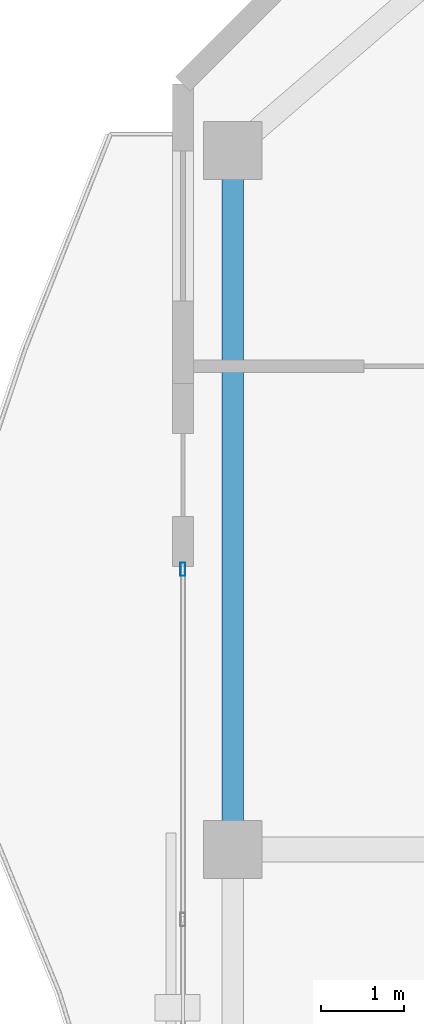
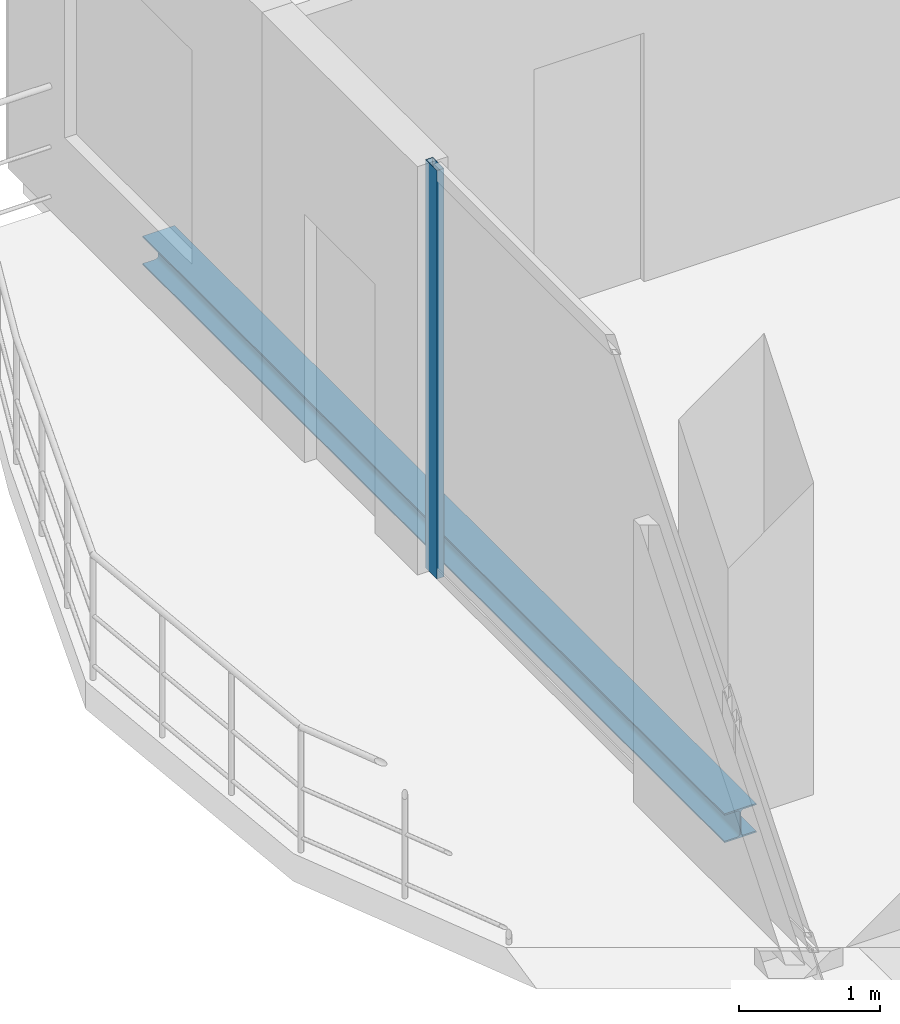
# One storey, part 12 of 22: 1 beam, 1 member, 1 element without a shape of its own.
"""IFC4 building model written with IfcOpenShell, lengths in metres."""

from ifc_helpers import new_model, si_unit, direction, frame, origin, origin_2d, place, context, subcontext, project, spatial, hollow_rectangle, i_section, extrude, material, layer, layer_set, material_profile, profile_set, type_object, element, aggregate, save


model = new_model("IFC4")

# Units and contexts
model_context = context("Model", 3, precision=1e-05, world=origin(), true_north=direction((0.0, 1.0)))
body_context = subcontext(model_context, "Body", "Model", "MODEL_VIEW")
ifc_project = project(units=[si_unit("LENGTHUNIT", "METRE"), si_unit("AREAUNIT", "SQUARE_METRE"), si_unit("VOLUMEUNIT", "CUBIC_METRE"), si_unit("PLANEANGLEUNIT", "RADIAN"), si_unit("MASSUNIT", "GRAM", prefix="KILO")], contexts=[model_context])

# Site, building, storey
site_placement = place(None, origin())
site = spatial("IfcSite", under=ifc_project, at=site_placement, CompositionType="ELEMENT")
building_placement = place(site_placement, origin())
building = spatial("IfcBuilding", under=site, at=building_placement, Name="Catumbela Crestline Tower", CompositionType="ELEMENT")
storey_placement = place(building_placement, frame((0.0, 0.0, 256.4)))
storey = spatial("IfcBuildingStorey", under=building, at=storey_placement, Name="L66", CompositionType="ELEMENT", Elevation=256.4)

# Curtain wall, member
ifc_material_1 = material(Name="Aluminium alloy AW-6060-T66", Category="aluminium")
ifc_layer = layer(ifc_material_1, 0.18, Name="Aluminium alloy AW-6060-T66")
ifc_layer_set = layer_set([ifc_layer], Name="Aluminium alloy AW-6060-T66")
curtain_wall_type = type_object("IfcCurtainWallType", Name="CWU-Z4", PredefinedType="USERDEFINED", material=ifc_layer_set)
curtain_wall_placement = place(storey_placement, origin())
curtain_wall = element("IfcCurtainWall", 1, at=curtain_wall_placement, inside=storey, type_object=curtain_wall_type, Name="L66 Unitised Curtain Wall CW-L66-E9S2", ObjectType="UNITISED", PredefinedType="USERDEFINED")
ifc_material_profile_1 = material_profile(ifc_material_1, hollow_rectangle(XDim=0.06, YDim=0.16, WallThickness=0.004, at=origin_2d()), Name="ALU 160x60x4")
ifc_profile_set_1 = profile_set([ifc_material_profile_1], Name="Aluminium alloy AW-6060-T66")
member_type = type_object("IfcMemberType", Name="MUL-160X60", PredefinedType="MULLION", material=ifc_profile_set_1)
member_placement = place(storey_placement, frame((5.0, 34.1675, 0.0), z_axis=(0.0, 0.0, 1.0), x_axis=(1.0, 0.0, 0.0)))
member = element("IfcMember", 2, at=member_placement, type_object=member_type, Name="CWU-Z4 mullion 1", PredefinedType="MULLION", context=body_context, shape_type="SweptSolid", body=[
    extrude(hollow_rectangle(XDim=0.06, YDim=0.16, WallThickness=0.004, at=origin_2d()), origin(), (0.0, 0.0, 1.0), 3.53),
])
aggregate(curtain_wall, [member])

# Beam
ifc_material_2 = material(Name="Structural steel S355J2", Category="steel")
ifc_material_profile_2 = material_profile(ifc_material_2, i_section(OverallWidth=0.26, OverallDepth=0.25, WebThickness=0.0075, FlangeThickness=0.0125, FilletRadius=0.024, at=origin_2d()), Name="HEA 260")
ifc_profile_set_2 = profile_set([ifc_material_profile_2], Name="Structural steel S355J2")
beam_type = type_object("IfcBeamType", Name="BS-HEA260", PredefinedType="SPANDREL", material=ifc_profile_set_2)
beam_placement = place(storey_placement, frame((5.6, 30.88, -0.385), z_axis=(0.0, 1.0, 0.0), x_axis=(-1.0, 0.0, 0.0)))
element("IfcBeam", 3, at=beam_placement, inside=storey, type_object=beam_type, Name="L66 Spandrel SP-L66-SN13", PredefinedType="SPANDREL", context=body_context, shape_type="SweptSolid", body=[
    extrude(i_section(OverallWidth=0.26, OverallDepth=0.25, WebThickness=0.0075, FlangeThickness=0.0125, FilletRadius=0.024, at=origin_2d()), origin(), (0.0, 0.0, 1.0), 8.24),
])

save(model, "model.ifc")
